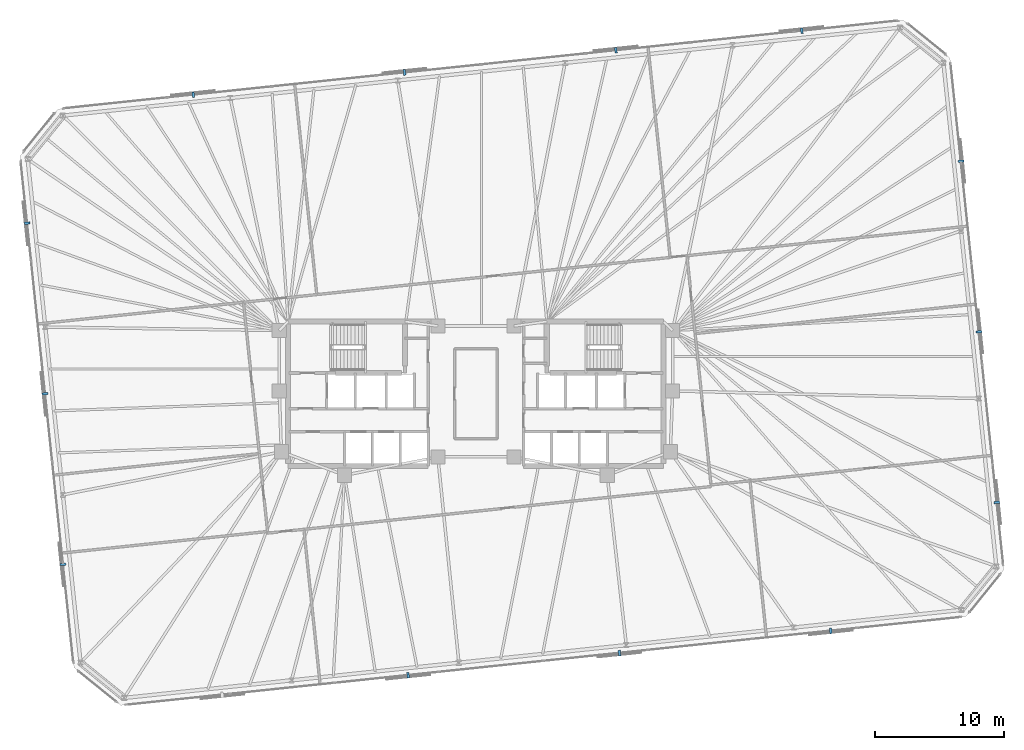
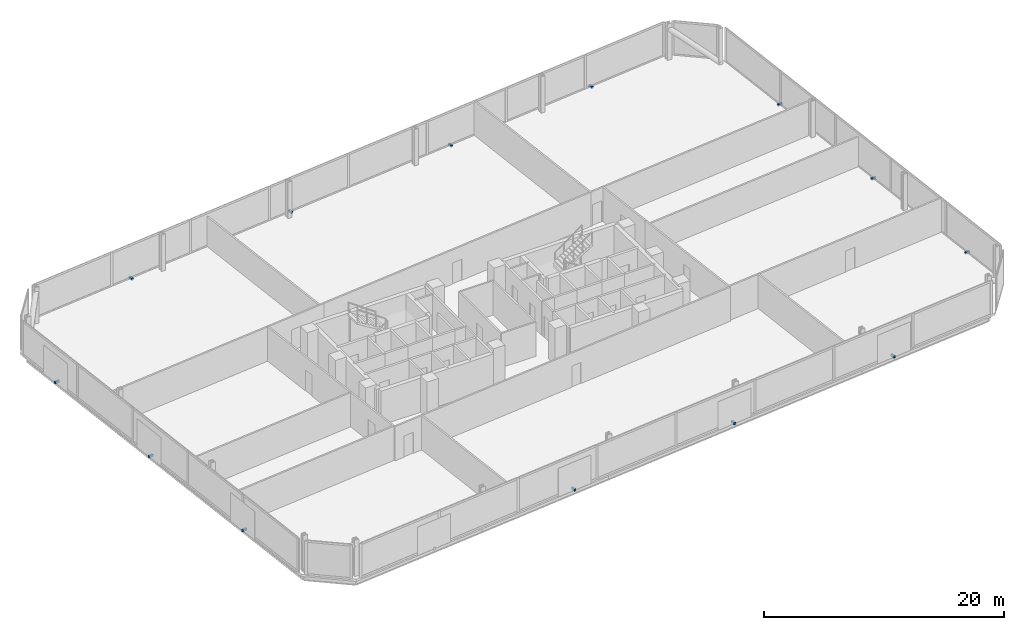
# One storey, part 17 of 18: 13 discrete accessories.
"""IFC4 building model written with IfcOpenShell, lengths in metres."""

from ifc_helpers import new_model, si_unit, direction, frame, origin, origin_2d, place, context, subcontext, project, spatial, rectangle, extrude, material, type_object, element, save


model = new_model("IFC4")

# Units and contexts
model_context = context("Model", 3, precision=1e-05, world=origin(), true_north=direction((0.0, 1.0)))
body_context = subcontext(model_context, "Body", "Model", "MODEL_VIEW")
ifc_project = project(units=[si_unit("LENGTHUNIT", "METRE"), si_unit("AREAUNIT", "SQUARE_METRE"), si_unit("VOLUMEUNIT", "CUBIC_METRE"), si_unit("PLANEANGLEUNIT", "RADIAN"), si_unit("MASSUNIT", "GRAM", prefix="KILO")], contexts=[model_context])

# Site, building, storey
site_placement = place(None, origin())
site = spatial("IfcSite", under=ifc_project, at=site_placement, CompositionType="ELEMENT")
building_placement = place(site_placement, origin())
building = spatial("IfcBuilding", under=site, at=building_placement, Name="Menara Jurai Vektor", CompositionType="ELEMENT")
storey_placement = place(building_placement, frame((0.0, 0.0, 91.10009765625)))
storey = spatial("IfcBuildingStorey", under=building, at=storey_placement, Name="L22", CompositionType="ELEMENT", Elevation=91.10009765625)

# Discrete accessories
ifc_material = material(Name="Steel S355", Category="steel")
discrete_accessory_type = type_object("IfcDiscreteAccessoryType", Name="ENV-ACC-BRACKET", PredefinedType="BRACKET", material=ifc_material)
for number, where, z_axis, x_axis, name in (
    (1, (-5.2548828125, -21.834716796875, -0.1298828125), (0.0, 0.0, 1.0), (0.994521895368, 0.104528463268, 0.0), "Solar Screen Stand-Off Bracket L22-S02"),
    (2, (11.1298828125, -20.112548828125, -0.1298828125), (0.0, 0.0, 1.0), (0.994521895368, 0.104528463268, 0.0), "Solar Screen Stand-Off Bracket L22-S03"),
    (3, (27.5146484375, -18.390380859375, -0.1298828125), (0.0, 0.0, 1.0), (0.994521895368, 0.104528463268, 0.0), "Solar Screen Stand-Off Bracket L22-S04"),
    (4, (40.397705078125, -8.42578125, -0.1298828125), (0.0, 0.0, 1.0), (-0.104528463268, 0.994521895368, 0.0), "Solar Screen Stand-Off Bracket L22-S05"),
    (5, (39.00732421875, 4.80126953125, -0.1298828125), (0.0, 0.0, 1.0), (-0.104528463268, 0.994521895368, 0.0), "Solar Screen Stand-Off Bracket L22-S06"),
    (6, (37.6171875, 18.028564453125, -0.1298828125), (0.0, 0.0, 1.0), (-0.104528463268, 0.994521895368, 0.0), "Solar Screen Stand-Off Bracket L22-S07"),
    (7, (25.2734375, 28.150146484375, -0.1298828125), (0.0, 0.0, 1.0), (-0.994521895368, -0.104528463268, 0.0), "Solar Screen Stand-Off Bracket L22-S08"),
    (8, (10.85498046875, 26.634765625, -0.1298828125), (0.0, 0.0, 1.0), (-0.994521895368, -0.104528463268, 0.0), "Solar Screen Stand-Off Bracket L22-S09"),
    (9, (-5.52978515625, 24.91259765625, -0.1298828125), (0.0, 0.0, 1.0), (-0.994521895368, -0.104528463268, 0.0), "Solar Screen Stand-Off Bracket L22-S10"),
    (10, (-21.91455078125, 23.1904296875, -0.1298828125), (0.0, 0.0, 1.0), (-0.994521895368, -0.104528463268, 0.0), "Solar Screen Stand-Off Bracket L22-S11"),
    (11, (-34.797607421875, 13.225830078125, -0.1298828125), (0.0, 0.0, 1.0), (0.104528463268, -0.994521895368, 0.0), "Solar Screen Stand-Off Bracket L22-S12"),
    (12, (-33.407470703125, -0.001220703125, -0.1298828125), (0.0, 0.0, 1.0), (0.104528463268, -0.994521895368, 0.0), "Solar Screen Stand-Off Bracket L22-S13"),
    (13, (-32.01708984375, -13.228515625, -0.1298828125), (0.0, 0.0, 1.0), (0.104528463268, -0.994521895368, 0.0), "Solar Screen Stand-Off Bracket L22-S14"),
):
    element("IfcDiscreteAccessory", number, at=place(storey_placement, frame(where, z_axis=z_axis, x_axis=x_axis)), inside=storey, type_object=discrete_accessory_type, Name=name, PredefinedType="BRACKET", context=body_context, shape_type="SweptSolid", body=[
        extrude(rectangle(XDim=0.179931640625, YDim=0.43994140625, at=origin_2d()), origin(), (0.0, 0.0, 1.0), 0.219970703125),
    ])

save(model, "model.ifc")
